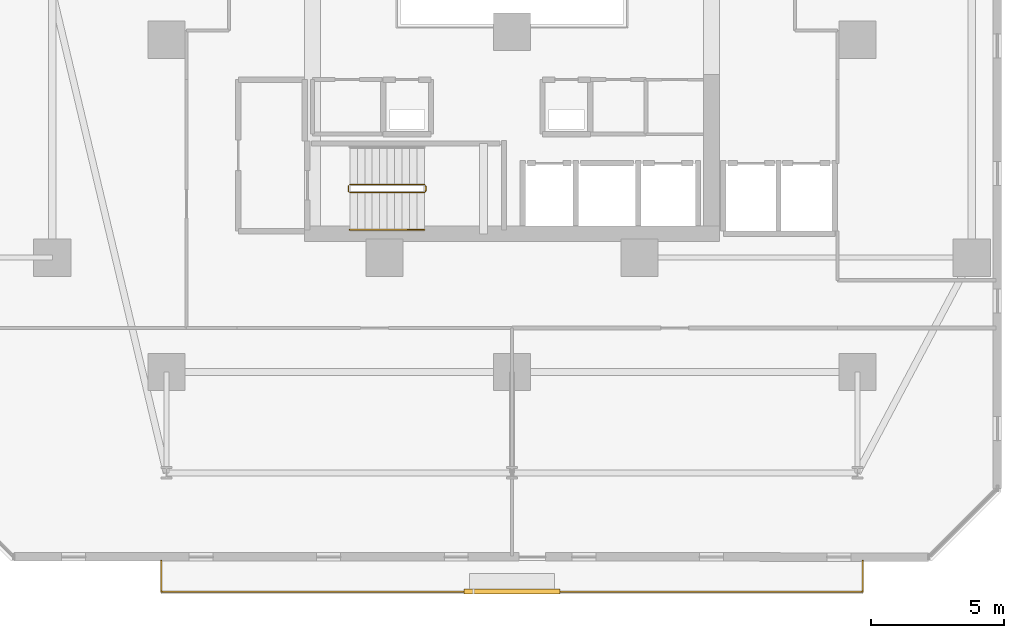
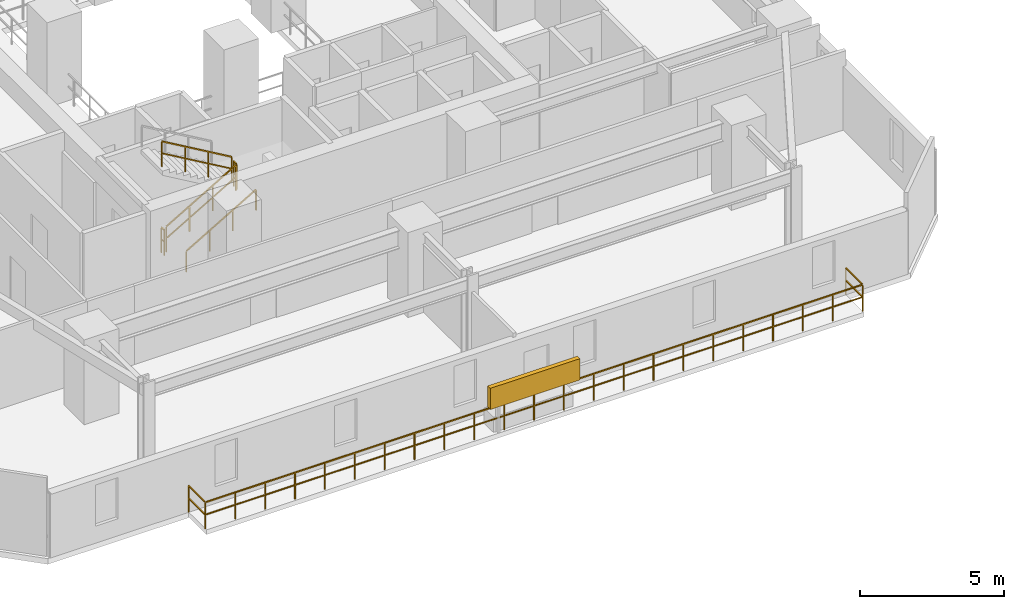
# One storey, part 29 of 33: 6 railings, 1 shading device.
"""IFC4 building model written with IfcOpenShell, lengths in metres."""

from ifc_helpers import new_model, si_unit, direction, frame, origin, origin_2d, place, context, subcontext, project, spatial, rectangle, extrude, material, type_object, element, save


model = new_model("IFC4")

# Units and contexts
model_context = context("Model", 3, precision=1e-05, world=origin(), true_north=direction((0.0, 1.0)))
body_context = subcontext(model_context, "Body", "Model", "MODEL_VIEW")
ifc_project = project(units=[si_unit("LENGTHUNIT", "METRE"), si_unit("AREAUNIT", "SQUARE_METRE"), si_unit("VOLUMEUNIT", "CUBIC_METRE"), si_unit("PLANEANGLEUNIT", "RADIAN"), si_unit("MASSUNIT", "GRAM", prefix="KILO")], contexts=[model_context])

# Site, building, storey
site_placement = place(None, origin())
site = spatial("IfcSite", under=ifc_project, at=site_placement, CompositionType="ELEMENT")
building_placement = place(site_placement, origin())
building = spatial("IfcBuilding", under=site, at=building_placement, Name="Thornwick Lancets Civic Towers", CompositionType="ELEMENT")
storey_placement = place(building_placement, frame((0.0, 0.0, 35.10009765625)))
storey = spatial("IfcBuildingStorey", under=building, at=storey_placement, Name="L08", CompositionType="ELEMENT", Elevation=35.10009765625)

# Railings
ifc_material_1 = material(Name="Brushed stainless steel S355", Category="steel")
railing_type_1 = type_object("IfcRailingType", Name="RAIL_HANDRAIL", PredefinedType="HANDRAIL", material=ifc_material_1)
railing_1_placement = place(storey_placement, frame((19.39990234375, 15.050048828125, 0.16357421875)))
element("IfcRailing", 1, at=railing_1_placement, inside=storey, type_object=railing_type_1, Name="L08 ST-A1 stair handrail 1", PredefinedType="HANDRAIL", context=body_context, shape_type="SweptSolid", body=[
    extrude(rectangle(XDim=0.048095703125, YDim=0.048095703125, at=origin_2d()), frame((0.0, 0.0, 0.8857421875), z_axis=(0.863393664356, 0.0, 0.504530851732), x_axis=(0.0, 1.0, 0.0)), (0.0, 0.0, 1.0), 3.2431640625),
    extrude(rectangle(XDim=0.0419921875, YDim=0.0419921875, at=origin_2d()), origin(), (0.0, 0.0, 1.0), 0.855712890625),
    extrude(rectangle(XDim=0.0419921875, YDim=0.0419921875, at=origin_2d()), frame((0.933349609375, 0.0, 0.54541015625)), (0.0, 0.0, 1.0), 0.855712890625),
    extrude(rectangle(XDim=0.0419921875, YDim=0.0419921875, at=origin_2d()), frame((1.86669921875, 0.0, 1.0908203125)), (0.0, 0.0, 1.0), 0.855712890625),
    extrude(rectangle(XDim=0.0419921875, YDim=0.0419921875, at=origin_2d()), frame((2.800048828125, 0.0, 1.63623046875)), (0.0, 0.0, 1.0), 0.855712890625),
])
ifc_material_2 = material(Name="Steel S355JR", Category="steel")
railing_type_2 = type_object("IfcRailingType", Name="RAIL_STAIR_GUARD", PredefinedType="GUARDRAIL", material=ifc_material_2)
railing_2_placement = place(storey_placement, frame((19.39990234375, 16.449951171875, 0.16357421875)))
element("IfcRailing", 2, at=railing_2_placement, inside=storey, type_object=railing_type_2, Name="L08 ST-A1 stair guard 1", PredefinedType="GUARDRAIL", context=body_context, shape_type="SweptSolid", body=[
    extrude(rectangle(XDim=0.048095703125, YDim=0.048095703125, at=origin_2d()), frame((0.0, 0.0, 1.076171875), z_axis=(0.863393664356, 0.0, 0.504530851732), x_axis=(0.0, 1.0, 0.0)), (0.0, 0.0, 1.0), 3.2431640625),
    extrude(rectangle(XDim=0.0419921875, YDim=0.0419921875, at=origin_2d()), frame((0.032470703125, 0.0, 0.591064453125), z_axis=(0.863393664356, 0.0, 0.504530851732), x_axis=(0.0, 1.0, 0.0)), (0.0, 0.0, 1.0), 1.006103515625),
    extrude(rectangle(XDim=0.0419921875, YDim=0.0419921875, at=origin_2d()), frame((0.9658203125, 0.0, 1.136474609375), z_axis=(0.863393664356, 0.0, 0.504530851732), x_axis=(0.0, 1.0, 0.0)), (0.0, 0.0, 1.0), 1.006103515625),
    extrude(rectangle(XDim=0.0419921875, YDim=0.0419921875, at=origin_2d()), frame((1.899169921875, 0.0, 1.681884765625), z_axis=(0.863393664356, 0.0, 0.504530851732), x_axis=(0.0, 1.0, 0.0)), (0.0, 0.0, 1.0), 1.006103515625),
    extrude(rectangle(XDim=0.0419921875, YDim=0.0419921875, at=origin_2d()), origin(), (0.0, 0.0, 1.0), 1.0458984375),
    extrude(rectangle(XDim=0.0419921875, YDim=0.0419921875, at=origin_2d()), frame((0.933349609375, 0.0, 0.54541015625)), (0.0, 0.0, 1.0), 1.0458984375),
    extrude(rectangle(XDim=0.0419921875, YDim=0.0419921875, at=origin_2d()), frame((1.86669921875, 0.0, 1.0908203125)), (0.0, 0.0, 1.0), 1.0458984375),
    extrude(rectangle(XDim=0.0419921875, YDim=0.0419921875, at=origin_2d()), frame((2.800048828125, 0.0, 1.63623046875)), (0.0, 0.0, 1.0), 1.0458984375),
])
railing_3_placement = place(storey_placement, frame((22.25, 16.5, 1.7998046875)))
element("IfcRailing", 3, at=railing_3_placement, inside=storey, type_object=railing_type_2, Name="L08 ST-A1 stair guard 2", PredefinedType="GUARDRAIL", context=body_context, shape_type="SweptSolid", body=[
    extrude(rectangle(XDim=0.048095703125, YDim=0.048095703125, at=origin_2d()), frame((0.0, 0.0, 1.076171875), z_axis=(0.0, 1.0, 0.0), x_axis=(-1.0, 0.0, 0.0)), (0.0, 0.0, 1.0), 0.199951171875),
    extrude(rectangle(XDim=0.0419921875, YDim=0.0419921875, at=origin_2d()), frame((0.0, 0.03759765625, 0.572021484375), z_axis=(0.0, 1.0, 0.0), x_axis=(-1.0, 0.0, 0.0)), (0.0, 0.0, 1.0), 0.125),
    extrude(rectangle(XDim=0.0419921875, YDim=0.0419921875, at=origin_2d()), origin(), (0.0, 0.0, 1.0), 1.0458984375),
    extrude(rectangle(XDim=0.0419921875, YDim=0.0419921875, at=origin_2d()), frame((0.0, 0.199951171875, 0.0)), (0.0, 0.0, 1.0), 1.0458984375),
])
railing_4_placement = place(storey_placement, frame((22.199951171875, 16.75, 1.963623046875)))
element("IfcRailing", 4, at=railing_4_placement, inside=storey, type_object=railing_type_2, Name="L08 ST-A1 stair guard 3", PredefinedType="GUARDRAIL", context=body_context, shape_type="SweptSolid", body=[
    extrude(rectangle(XDim=0.048095703125, YDim=0.048095703125, at=origin_2d()), frame((0.0, 0.0, 1.076171875), z_axis=(-0.863393664356, 0.0, 0.504530851732), x_axis=(0.0, -1.0, 0.0)), (0.0, 0.0, 1.0), 3.2431640625),
    extrude(rectangle(XDim=0.0419921875, YDim=0.0419921875, at=origin_2d()), frame((-0.032470703125, 0.0, 0.591064453125), z_axis=(-0.863393664356, 0.0, 0.504530851732), x_axis=(0.0, -1.0, 0.0)), (0.0, 0.0, 1.0), 1.006103515625),
    extrude(rectangle(XDim=0.0419921875, YDim=0.0419921875, at=origin_2d()), frame((-0.9658203125, 0.0, 1.136474609375), z_axis=(-0.863393664356, 0.0, 0.504530851732), x_axis=(0.0, -1.0, 0.0)), (0.0, 0.0, 1.0), 1.006103515625),
    extrude(rectangle(XDim=0.0419921875, YDim=0.0419921875, at=origin_2d()), frame((-1.899169921875, 0.0, 1.681884765625), z_axis=(-0.863393664356, 0.0, 0.504530851732), x_axis=(0.0, -1.0, 0.0)), (0.0, 0.0, 1.0), 1.006103515625),
    extrude(rectangle(XDim=0.0419921875, YDim=0.0419921875, at=origin_2d()), origin(), (0.0, 0.0, 1.0), 1.0458984375),
    extrude(rectangle(XDim=0.0419921875, YDim=0.0419921875, at=origin_2d()), frame((-0.933349609375, 0.0, 0.54541015625)), (0.0, 0.0, 1.0), 1.0458984375),
    extrude(rectangle(XDim=0.0419921875, YDim=0.0419921875, at=origin_2d()), frame((-1.86669921875, 0.0, 1.0908203125)), (0.0, 0.0, 1.0), 1.0458984375),
    extrude(rectangle(XDim=0.0419921875, YDim=0.0419921875, at=origin_2d()), frame((-2.800048828125, 0.0, 1.63623046875)), (0.0, 0.0, 1.0), 1.0458984375),
])
railing_5_placement = place(storey_placement, frame((19.35009765625, 16.5, 0.0)))
element("IfcRailing", 5, at=railing_5_placement, inside=storey, type_object=railing_type_2, Name="L08 ST-A1 stair guard 4", PredefinedType="GUARDRAIL", context=body_context, shape_type="SweptSolid", body=[
    extrude(rectangle(XDim=0.048095703125, YDim=0.048095703125, at=origin_2d()), frame((0.0, 0.0, 1.076171875), z_axis=(0.0, 1.0, 0.0), x_axis=(-1.0, 0.0, 0.0)), (0.0, 0.0, 1.0), 0.199951171875),
    extrude(rectangle(XDim=0.0419921875, YDim=0.0419921875, at=origin_2d()), frame((0.0, 0.03759765625, 0.572021484375), z_axis=(0.0, 1.0, 0.0), x_axis=(-1.0, 0.0, 0.0)), (0.0, 0.0, 1.0), 0.125),
    extrude(rectangle(XDim=0.0419921875, YDim=0.0419921875, at=origin_2d()), origin(), (0.0, 0.0, 1.0), 1.0458984375),
    extrude(rectangle(XDim=0.0419921875, YDim=0.0419921875, at=origin_2d()), frame((0.0, 0.199951171875, 0.0)), (0.0, 0.0, 1.0), 1.0458984375),
])
ifc_material_3 = material(Name="Terracotta-capped laminated glass balustrade S355", Category="masonry")
railing_type_3 = type_object("IfcRailingType", Name="RAIL_TERR_GUARD", PredefinedType="GUARDRAIL", material=ifc_material_3)
railing_6_placement = place(storey_placement, frame((12.300048828125, 2.60009765625, 0.0)))
element("IfcRailing", 6, at=railing_6_placement, inside=storey, type_object=railing_type_3, Name="L08 Tower A Balcony Guard S", PredefinedType="GUARDRAIL", context=body_context, shape_type="SweptSolid", body=[
    extrude(rectangle(XDim=0.048095703125, YDim=0.048095703125, at=origin_2d()), frame((0.0, 0.0, 1.1259765625), z_axis=(0.0, -1.0, 0.0), x_axis=(1.0, 0.0, 0.0)), (0.0, 0.0, 1.0), 1.138916015625),
    extrude(rectangle(XDim=0.0419921875, YDim=0.0419921875, at=origin_2d()), frame((0.0, -0.03759765625, 0.597900390625), z_axis=(0.0, -1.0, 0.0), x_axis=(1.0, 0.0, 0.0)), (0.0, 0.0, 1.0), 1.09521484375),
    extrude(rectangle(XDim=0.048095703125, YDim=0.048095703125, at=origin_2d()), frame((0.03125, -1.170166015625, 1.1259765625), z_axis=(1.0, 0.0, 0.0), x_axis=(0.0, 1.0, 0.0)), (0.0, 0.0, 1.0), 26.33740234375),
    extrude(rectangle(XDim=0.0419921875, YDim=0.0419921875, at=origin_2d()), frame((0.03759765625, -1.170166015625, 0.597900390625), z_axis=(1.0, 0.0, 0.0), x_axis=(0.0, 1.0, 0.0)), (0.0, 0.0, 1.0), 1.125),
    extrude(rectangle(XDim=0.0419921875, YDim=0.0419921875, at=origin_2d()), frame((1.237548828125, -1.170166015625, 0.597900390625), z_axis=(1.0, 0.0, 0.0), x_axis=(0.0, 1.0, 0.0)), (0.0, 0.0, 1.0), 1.125),
    extrude(rectangle(XDim=0.0419921875, YDim=0.0419921875, at=origin_2d()), frame((2.4375, -1.170166015625, 0.597900390625), z_axis=(1.0, 0.0, 0.0), x_axis=(0.0, 1.0, 0.0)), (0.0, 0.0, 1.0), 1.125),
    extrude(rectangle(XDim=0.0419921875, YDim=0.0419921875, at=origin_2d()), frame((3.637451171875, -1.170166015625, 0.597900390625), z_axis=(1.0, 0.0, 0.0), x_axis=(0.0, 1.0, 0.0)), (0.0, 0.0, 1.0), 1.125),
    extrude(rectangle(XDim=0.0419921875, YDim=0.0419921875, at=origin_2d()), frame((4.83740234375, -1.170166015625, 0.597900390625), z_axis=(1.0, 0.0, 0.0), x_axis=(0.0, 1.0, 0.0)), (0.0, 0.0, 1.0), 1.125),
    extrude(rectangle(XDim=0.0419921875, YDim=0.0419921875, at=origin_2d()), frame((6.037353515625, -1.170166015625, 0.597900390625), z_axis=(1.0, 0.0, 0.0), x_axis=(0.0, 1.0, 0.0)), (0.0, 0.0, 1.0), 1.125),
    extrude(rectangle(XDim=0.0419921875, YDim=0.0419921875, at=origin_2d()), frame((7.237548828125, -1.170166015625, 0.597900390625), z_axis=(1.0, 0.0, 0.0), x_axis=(0.0, 1.0, 0.0)), (0.0, 0.0, 1.0), 1.125),
    extrude(rectangle(XDim=0.0419921875, YDim=0.0419921875, at=origin_2d()), frame((8.4375, -1.170166015625, 0.597900390625), z_axis=(1.0, 0.0, 0.0), x_axis=(0.0, 1.0, 0.0)), (0.0, 0.0, 1.0), 1.125),
    extrude(rectangle(XDim=0.0419921875, YDim=0.0419921875, at=origin_2d()), frame((9.637451171875, -1.170166015625, 0.597900390625), z_axis=(1.0, 0.0, 0.0), x_axis=(0.0, 1.0, 0.0)), (0.0, 0.0, 1.0), 1.125),
    extrude(rectangle(XDim=0.0419921875, YDim=0.0419921875, at=origin_2d()), frame((10.83740234375, -1.170166015625, 0.597900390625), z_axis=(1.0, 0.0, 0.0), x_axis=(0.0, 1.0, 0.0)), (0.0, 0.0, 1.0), 1.125),
    extrude(rectangle(XDim=0.0419921875, YDim=0.0419921875, at=origin_2d()), frame((12.037353515625, -1.170166015625, 0.597900390625), z_axis=(1.0, 0.0, 0.0), x_axis=(0.0, 1.0, 0.0)), (0.0, 0.0, 1.0), 1.125),
    extrude(rectangle(XDim=0.0419921875, YDim=0.0419921875, at=origin_2d()), frame((13.237548828125, -1.170166015625, 0.597900390625), z_axis=(1.0, 0.0, 0.0), x_axis=(0.0, 1.0, 0.0)), (0.0, 0.0, 1.0), 1.125),
    extrude(rectangle(XDim=0.0419921875, YDim=0.0419921875, at=origin_2d()), frame((14.4375, -1.170166015625, 0.597900390625), z_axis=(1.0, 0.0, 0.0), x_axis=(0.0, 1.0, 0.0)), (0.0, 0.0, 1.0), 1.125),
    extrude(rectangle(XDim=0.0419921875, YDim=0.0419921875, at=origin_2d()), frame((15.637451171875, -1.170166015625, 0.597900390625), z_axis=(1.0, 0.0, 0.0), x_axis=(0.0, 1.0, 0.0)), (0.0, 0.0, 1.0), 1.125),
    extrude(rectangle(XDim=0.0419921875, YDim=0.0419921875, at=origin_2d()), frame((16.83740234375, -1.170166015625, 0.597900390625), z_axis=(1.0, 0.0, 0.0), x_axis=(0.0, 1.0, 0.0)), (0.0, 0.0, 1.0), 1.125),
    extrude(rectangle(XDim=0.0419921875, YDim=0.0419921875, at=origin_2d()), frame((18.037353515625, -1.170166015625, 0.597900390625), z_axis=(1.0, 0.0, 0.0), x_axis=(0.0, 1.0, 0.0)), (0.0, 0.0, 1.0), 1.125),
    extrude(rectangle(XDim=0.0419921875, YDim=0.0419921875, at=origin_2d()), frame((19.2373046875, -1.170166015625, 0.597900390625), z_axis=(1.0, 0.0, 0.0), x_axis=(0.0, 1.0, 0.0)), (0.0, 0.0, 1.0), 1.125),
    extrude(rectangle(XDim=0.0419921875, YDim=0.0419921875, at=origin_2d()), frame((20.4375, -1.170166015625, 0.597900390625), z_axis=(1.0, 0.0, 0.0), x_axis=(0.0, 1.0, 0.0)), (0.0, 0.0, 1.0), 1.125),
    extrude(rectangle(XDim=0.0419921875, YDim=0.0419921875, at=origin_2d()), frame((21.637451171875, -1.170166015625, 0.597900390625), z_axis=(1.0, 0.0, 0.0), x_axis=(0.0, 1.0, 0.0)), (0.0, 0.0, 1.0), 1.125),
    extrude(rectangle(XDim=0.0419921875, YDim=0.0419921875, at=origin_2d()), frame((22.83740234375, -1.170166015625, 0.597900390625), z_axis=(1.0, 0.0, 0.0), x_axis=(0.0, 1.0, 0.0)), (0.0, 0.0, 1.0), 1.125),
    extrude(rectangle(XDim=0.0419921875, YDim=0.0419921875, at=origin_2d()), frame((24.037353515625, -1.170166015625, 0.597900390625), z_axis=(1.0, 0.0, 0.0), x_axis=(0.0, 1.0, 0.0)), (0.0, 0.0, 1.0), 1.125),
    extrude(rectangle(XDim=0.0419921875, YDim=0.0419921875, at=origin_2d()), frame((25.2373046875, -1.170166015625, 0.597900390625), z_axis=(1.0, 0.0, 0.0), x_axis=(0.0, 1.0, 0.0)), (0.0, 0.0, 1.0), 1.125),
    extrude(rectangle(XDim=0.048095703125, YDim=0.048095703125, at=origin_2d()), frame((26.39990234375, -1.138916015625, 1.1259765625), z_axis=(0.0, 1.0, 0.0), x_axis=(-1.0, 0.0, 0.0)), (0.0, 0.0, 1.0), 1.138916015625),
    extrude(rectangle(XDim=0.0419921875, YDim=0.0419921875, at=origin_2d()), frame((26.39990234375, -1.132568359375, 0.597900390625), z_axis=(0.0, 1.0, 0.0), x_axis=(-1.0, 0.0, 0.0)), (0.0, 0.0, 1.0), 1.09521484375),
    extrude(rectangle(XDim=0.0419921875, YDim=0.0419921875, at=origin_2d()), origin(), (0.0, 0.0, 1.0), 1.095703125),
    extrude(rectangle(XDim=0.0419921875, YDim=0.0419921875, at=origin_2d()), frame((0.0, -1.170166015625, 0.0)), (0.0, 0.0, 1.0), 1.095703125),
    extrude(rectangle(XDim=0.0419921875, YDim=0.0419921875, at=origin_2d()), frame((1.199951171875, -1.170166015625, 0.0)), (0.0, 0.0, 1.0), 1.095703125),
    extrude(rectangle(XDim=0.0419921875, YDim=0.0419921875, at=origin_2d()), frame((2.39990234375, -1.170166015625, 0.0)), (0.0, 0.0, 1.0), 1.095703125),
    extrude(rectangle(XDim=0.0419921875, YDim=0.0419921875, at=origin_2d()), frame((3.60009765625, -1.170166015625, 0.0)), (0.0, 0.0, 1.0), 1.095703125),
    extrude(rectangle(XDim=0.0419921875, YDim=0.0419921875, at=origin_2d()), frame((4.800048828125, -1.170166015625, 0.0)), (0.0, 0.0, 1.0), 1.095703125),
    extrude(rectangle(XDim=0.0419921875, YDim=0.0419921875, at=origin_2d()), frame((6.0, -1.170166015625, 0.0)), (0.0, 0.0, 1.0), 1.095703125),
    extrude(rectangle(XDim=0.0419921875, YDim=0.0419921875, at=origin_2d()), frame((7.199951171875, -1.170166015625, 0.0)), (0.0, 0.0, 1.0), 1.095703125),
    extrude(rectangle(XDim=0.0419921875, YDim=0.0419921875, at=origin_2d()), frame((8.39990234375, -1.170166015625, 0.0)), (0.0, 0.0, 1.0), 1.095703125),
    extrude(rectangle(XDim=0.0419921875, YDim=0.0419921875, at=origin_2d()), frame((9.599853515625, -1.170166015625, 0.0)), (0.0, 0.0, 1.0), 1.095703125),
    extrude(rectangle(XDim=0.0419921875, YDim=0.0419921875, at=origin_2d()), frame((10.800048828125, -1.170166015625, 0.0)), (0.0, 0.0, 1.0), 1.095703125),
    extrude(rectangle(XDim=0.0419921875, YDim=0.0419921875, at=origin_2d()), frame((12.0, -1.170166015625, 0.0)), (0.0, 0.0, 1.0), 1.095703125),
    extrude(rectangle(XDim=0.0419921875, YDim=0.0419921875, at=origin_2d()), frame((13.199951171875, -1.170166015625, 0.0)), (0.0, 0.0, 1.0), 1.095703125),
    extrude(rectangle(XDim=0.0419921875, YDim=0.0419921875, at=origin_2d()), frame((14.39990234375, -1.170166015625, 0.0)), (0.0, 0.0, 1.0), 1.095703125),
    extrude(rectangle(XDim=0.0419921875, YDim=0.0419921875, at=origin_2d()), frame((15.599853515625, -1.170166015625, 0.0)), (0.0, 0.0, 1.0), 1.095703125),
    extrude(rectangle(XDim=0.0419921875, YDim=0.0419921875, at=origin_2d()), frame((16.800048828125, -1.170166015625, 0.0)), (0.0, 0.0, 1.0), 1.095703125),
    extrude(rectangle(XDim=0.0419921875, YDim=0.0419921875, at=origin_2d()), frame((18.0, -1.170166015625, 0.0)), (0.0, 0.0, 1.0), 1.095703125),
    extrude(rectangle(XDim=0.0419921875, YDim=0.0419921875, at=origin_2d()), frame((19.199951171875, -1.170166015625, 0.0)), (0.0, 0.0, 1.0), 1.095703125),
    extrude(rectangle(XDim=0.0419921875, YDim=0.0419921875, at=origin_2d()), frame((20.39990234375, -1.170166015625, 0.0)), (0.0, 0.0, 1.0), 1.095703125),
    extrude(rectangle(XDim=0.0419921875, YDim=0.0419921875, at=origin_2d()), frame((21.599853515625, -1.170166015625, 0.0)), (0.0, 0.0, 1.0), 1.095703125),
    extrude(rectangle(XDim=0.0419921875, YDim=0.0419921875, at=origin_2d()), frame((22.7998046875, -1.170166015625, 0.0)), (0.0, 0.0, 1.0), 1.095703125),
    extrude(rectangle(XDim=0.0419921875, YDim=0.0419921875, at=origin_2d()), frame((24.0, -1.170166015625, 0.0)), (0.0, 0.0, 1.0), 1.095703125),
    extrude(rectangle(XDim=0.0419921875, YDim=0.0419921875, at=origin_2d()), frame((25.199951171875, -1.170166015625, 0.0)), (0.0, 0.0, 1.0), 1.095703125),
    extrude(rectangle(XDim=0.0419921875, YDim=0.0419921875, at=origin_2d()), frame((26.39990234375, -1.170166015625, 0.0)), (0.0, 0.0, 1.0), 1.095703125),
    extrude(rectangle(XDim=0.0419921875, YDim=0.0419921875, at=origin_2d()), frame((26.39990234375, 0.0, 0.0)), (0.0, 0.0, 1.0), 1.095703125),
])

# Shading device
ifc_material_4 = material(Name="Extruded terracotta baguette solar screen", Category="masonry")
shading_device_type = type_object("IfcShadingDeviceType", Name="SHADE_BAGUETTE", PredefinedType="JALOUSIE", material=ifc_material_4)
shading_device_placement = place(storey_placement, frame((25.5, 1.43994140625, 1.119873046875), z_axis=(0.0, 0.0, 1.0), x_axis=(1.0, 0.0, 0.0)))
element("IfcShadingDevice", 7, at=shading_device_placement, inside=storey, type_object=shading_device_type, Name="L08 Tower A Terracotta Baguette Screen S", PredefinedType="JALOUSIE", context=body_context, shape_type="SweptSolid", body=[
    extrude(rectangle(XDim=3.60009765625, YDim=0.179931640625, at=origin_2d()), origin(), (0.0, 0.0, 1.0), 0.89990234375),
])

save(model, "model.ifc")
